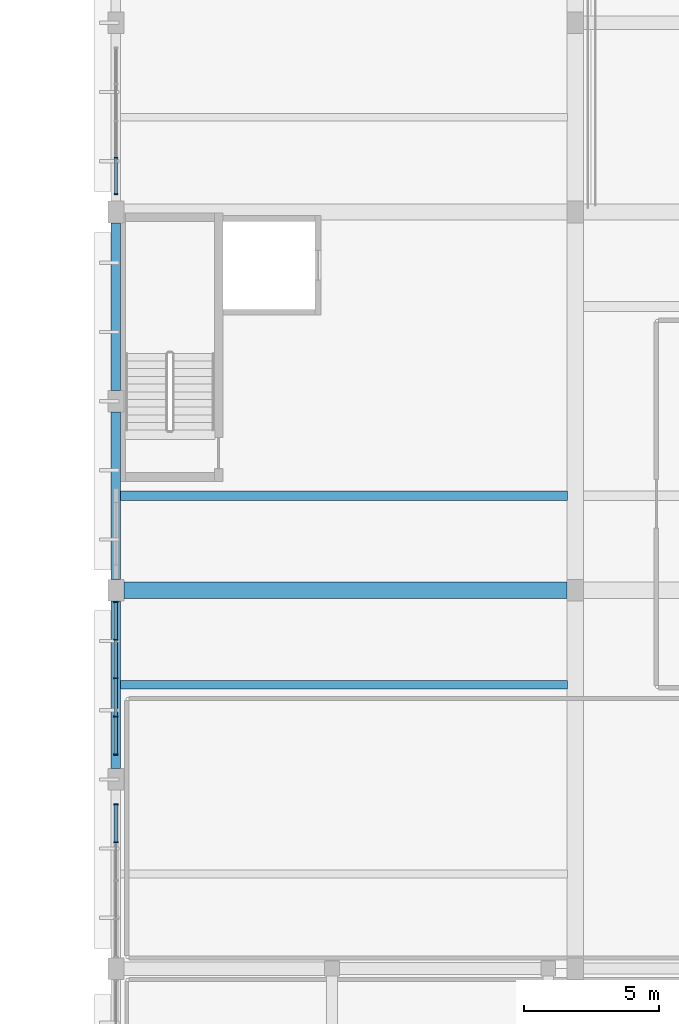
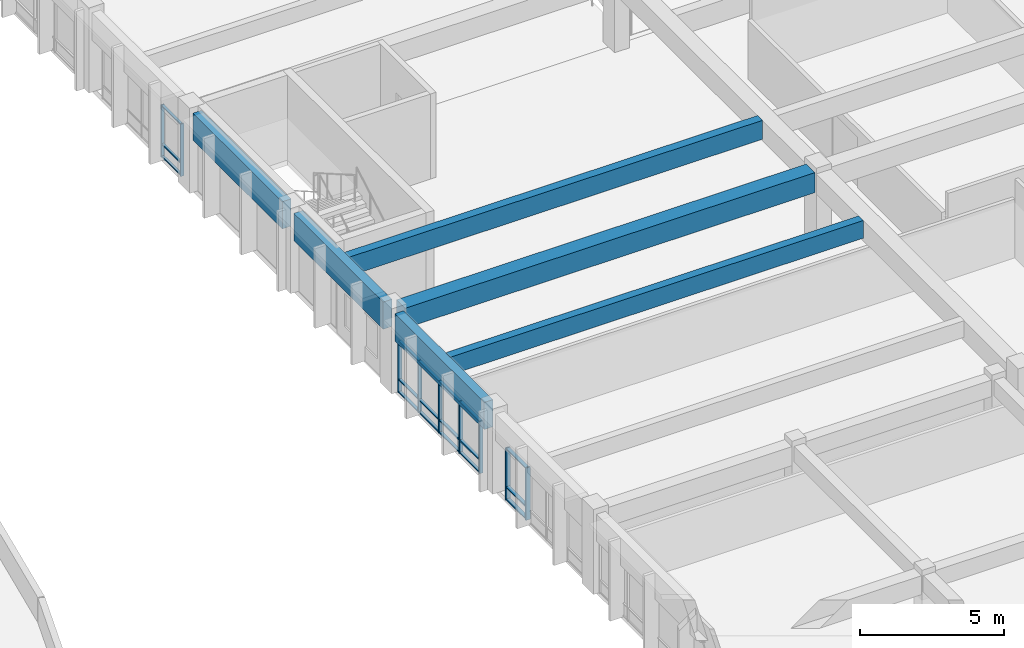
# One storey, part 15 of 77: 27 members, 6 beams, 3 elements without a shape of their own.
"""IFC4 building model written with IfcOpenShell, lengths in metres."""

from ifc_helpers import new_model, si_unit, direction, frame, origin, origin_2d, place, context, subcontext, project, spatial, rectangle, extrude, material, material_profile, profile_set, type_object, element, aggregate, save


model = new_model("IFC4")

# Units and contexts
model_context = context("Model", 3, precision=1e-05, world=origin(), true_north=direction((0.0, 1.0)))
body_context = subcontext(model_context, "Body", "Model", "MODEL_VIEW")
ifc_project = project(units=[si_unit("LENGTHUNIT", "METRE"), si_unit("AREAUNIT", "SQUARE_METRE"), si_unit("VOLUMEUNIT", "CUBIC_METRE"), si_unit("PLANEANGLEUNIT", "RADIAN"), si_unit("MASSUNIT", "GRAM", prefix="KILO")], contexts=[model_context])

# Site, building, storey
site_placement = place(None, origin())
site = spatial("IfcSite", under=ifc_project, at=site_placement, CompositionType="ELEMENT")
building_placement = place(site_placement, origin())
building = spatial("IfcBuilding", under=site, at=building_placement, Name="Larkveld Mobility Hub", CompositionType="ELEMENT")
storey_placement = place(building_placement, frame((0.0, 0.0, 12.0)))
storey = spatial("IfcBuildingStorey", under=building, at=storey_placement, Name="L03", CompositionType="ELEMENT", Elevation=12.0)

# Beams
ifc_material_1 = material(Name="Precast concrete C50/60", Category="concrete")
ifc_material_profile_1 = material_profile(ifc_material_1, rectangle(XDim=0.320068359375, YDim=0.75, at=origin_2d()), Name="PC DT 320x750")
ifc_profile_set_1 = profile_set([ifc_material_profile_1], Name="Precast concrete C50/60")
beam_type_1 = type_object("IfcBeamType", Name="BM-DT3275", PredefinedType="T_BEAM", material=ifc_profile_set_1)
beam_1_placement = place(storey_placement, frame((112.169921875, 38.5, 2.9951171875), z_axis=(1.0, 0.0, 0.0), x_axis=(0.0, 1.0, 0.0)))
element("IfcBeam", 1, at=beam_1_placement, inside=storey, type_object=beam_type_1, Name="Precast Double-Tee Stem L03-1110", PredefinedType="T_BEAM", context=body_context, shape_type="SweptSolid", body=[
    extrude(rectangle(XDim=0.320068359375, YDim=0.75, at=origin_2d()), origin(), (0.0, 0.0, 1.0), 16.53515625),
])
ifc_material_profile_2 = material_profile(ifc_material_1, rectangle(XDim=0.340087890625, YDim=0.800048828125, at=origin_2d()), Name="PC DT 340x800")
ifc_profile_set_2 = profile_set([ifc_material_profile_2], Name="Precast concrete C50/60")
beam_type_2 = type_object("IfcBeamType", Name="BM-DT3480", PredefinedType="T_BEAM", material=ifc_profile_set_2)
beam_2_placement = place(storey_placement, frame((112.169921875, 45.5, 2.969970703125), z_axis=(1.0, 0.0, 0.0), x_axis=(0.0, 1.0, 0.0)))
element("IfcBeam", 2, at=beam_2_placement, inside=storey, type_object=beam_type_2, Name="Precast Double-Tee Stem L03-1111", PredefinedType="T_BEAM", context=body_context, shape_type="SweptSolid", body=[
    extrude(rectangle(XDim=0.340087890625, YDim=0.800048828125, at=origin_2d()), origin(), (0.0, 0.0, 1.0), 16.53515625),
])
ifc_material_profile_3 = material_profile(ifc_material_1, rectangle(XDim=0.60009765625, YDim=0.85009765625, at=origin_2d()), Name="PC ITB 600x850")
ifc_profile_set_3 = profile_set([ifc_material_profile_3], Name="Precast concrete C50/60")
beam_type_3 = type_object("IfcBeamType", Name="BM-ITB6085", PredefinedType="T_BEAM", material=ifc_profile_set_3)
beam_3_placement = place(storey_placement, frame((112.300048828125, 42.0, 2.93505859375), z_axis=(1.0, 0.0, 0.0), x_axis=(0.0, 1.0, 0.0)))
element("IfcBeam", 3, at=beam_3_placement, inside=storey, type_object=beam_type_3, Name="Primary E-W Girder L03-0720", PredefinedType="T_BEAM", context=body_context, shape_type="SweptSolid", body=[
    extrude(rectangle(XDim=0.60009765625, YDim=0.85009765625, at=origin_2d()), origin(), (0.0, 0.0, 1.0), 16.39990234375),
])
ifc_material_profile_4 = material_profile(ifc_material_1, rectangle(XDim=0.35009765625, YDim=1.14990234375, at=origin_2d()), Name="PC SP 350x1150")
ifc_profile_set_4 = profile_set([ifc_material_profile_4], Name="Precast concrete C50/60")
beam_type_4 = type_object("IfcBeamType", Name="BM-SP35115", PredefinedType="SPANDREL", material=ifc_profile_set_4)
for number, where, z_axis, x_axis, name in (
    (4, (112.0, 35.39990234375, 2.784912109375), (0.0, 1.0, 0.0), (-1.0, 0.0, 0.0), "Primary N-S Girder L03-0799"),
    (5, (112.0, 42.39990234375, 2.784912109375), (0.0, 1.0, 0.0), (-1.0, 0.0, 0.0), "Primary N-S Girder L03-0800"),
    (6, (112.0, 49.39990234375, 2.784912109375), (0.0, 1.0, 0.0), (-1.0, 0.0, 0.0), "Primary N-S Girder L03-0801"),
):
    element("IfcBeam", number, at=place(storey_placement, frame(where, z_axis=z_axis, x_axis=x_axis)), inside=storey, type_object=beam_type_4, Name=name, PredefinedType="SPANDREL", context=body_context, shape_type="SweptSolid", body=[
        extrude(rectangle(XDim=0.35009765625, YDim=1.14990234375, at=origin_2d()), origin(), (0.0, 0.0, 1.0), 6.2001953125),
    ])

# Curtain wall, members
ifc_material_2 = material(Name="Anodised aluminium 6063-T6", Category="aluminium")
curtain_wall_type_1 = type_object("IfcCurtainWallType", Name="CW-SYS-09", PredefinedType="NOTDEFINED", material=ifc_material_2)
curtain_wall_1_placement = place(storey_placement, origin())
curtain_wall_1 = element("IfcCurtainWall", 7, at=curtain_wall_1_placement, inside=storey, type_object=curtain_wall_type_1, Name="EV Wing West Glazing L03 CW-141", PredefinedType="NOTDEFINED")
ifc_material_profile_5 = material_profile(ifc_material_2, rectangle(XDim=0.050048828125, YDim=0.14990234375, at=origin_2d()), Name="ALU MULL 50x150")
ifc_profile_set_5 = profile_set([ifc_material_profile_5], Name="Anodised aluminium 6063-T6")
member_type_1 = type_object("IfcMemberType", Name="CW-MUL-01", PredefinedType="MULLION", material=ifc_profile_set_5)
member_1_placement = place(storey_placement, frame((112.0, 41.56494140625, -0.001953125), z_axis=(0.0, 0.0, 1.0), x_axis=(0.0, -1.0, 0.0)))
member_1 = element("IfcMember", 8, at=member_1_placement, type_object=member_type_1, Name="CW09 mullion 1", PredefinedType="MULLION", context=body_context, shape_type="SweptSolid", body=[
    extrude(rectangle(XDim=0.050048828125, YDim=0.14990234375, at=origin_2d()), origin(), (0.0, 0.0, 1.0), 2.2119140625),
])
member_2_placement = place(storey_placement, frame((112.0, 40.16796875, -0.001953125), z_axis=(0.0, 0.0, 1.0), x_axis=(0.0, -1.0, 0.0)))
member_2 = element("IfcMember", 9, at=member_2_placement, type_object=member_type_1, Name="CW09 mullion 2", PredefinedType="MULLION", context=body_context, shape_type="SweptSolid", body=[
    extrude(rectangle(XDim=0.050048828125, YDim=0.14990234375, at=origin_2d()), origin(), (0.0, 0.0, 1.0), 2.2119140625),
])
member_3_placement = place(storey_placement, frame((112.0, 38.7451171875, -0.001953125), z_axis=(0.0, 0.0, 1.0), x_axis=(0.0, -1.0, 0.0)))
member_3 = element("IfcMember", 10, at=member_3_placement, type_object=member_type_1, Name="CW09 mullion 3", PredefinedType="MULLION", context=body_context, shape_type="SweptSolid", body=[
    extrude(rectangle(XDim=0.050048828125, YDim=0.14990234375, at=origin_2d()), origin(), (0.0, 0.0, 1.0), 2.2119140625),
])
member_4_placement = place(storey_placement, frame((112.0, 37.322998046875, -0.001953125), z_axis=(0.0, 0.0, 1.0), x_axis=(0.0, -1.0, 0.0)))
member_4 = element("IfcMember", 11, at=member_4_placement, type_object=member_type_1, Name="CW09 mullion 4", PredefinedType="MULLION", context=body_context, shape_type="SweptSolid", body=[
    extrude(rectangle(XDim=0.050048828125, YDim=0.14990234375, at=origin_2d()), origin(), (0.0, 0.0, 1.0), 2.2119140625),
])
member_5_placement = place(storey_placement, frame((112.0, 35.925048828125, -0.001953125), z_axis=(0.0, 0.0, 1.0), x_axis=(0.0, -1.0, 0.0)))
member_5 = element("IfcMember", 12, at=member_5_placement, type_object=member_type_1, Name="CW09 mullion 5", PredefinedType="MULLION", context=body_context, shape_type="SweptSolid", body=[
    extrude(rectangle(XDim=0.050048828125, YDim=0.14990234375, at=origin_2d()), origin(), (0.0, 0.0, 1.0), 2.2119140625),
])

curtain_wall_type_2 = type_object("IfcCurtainWallType", Name="CW-SYS-10", PredefinedType="NOTDEFINED", material=ifc_material_2)
curtain_wall_2_placement = place(storey_placement, origin())
curtain_wall_2 = element("IfcCurtainWall", 13, at=curtain_wall_2_placement, inside=storey, type_object=curtain_wall_type_2, Name="EV Wing West Glazing L03 CW-142", PredefinedType="NOTDEFINED")
ifc_material_profile_6 = material_profile(ifc_material_2, rectangle(XDim=0.050048828125, YDim=0.179931640625, at=origin_2d()), Name="ALU MULL 50x180")
ifc_profile_set_6 = profile_set([ifc_material_profile_6], Name="Anodised aluminium 6063-T6")
member_type_2 = type_object("IfcMemberType", Name="CW-MUL-02", PredefinedType="MULLION", material=ifc_profile_set_6)
member_6_placement = place(storey_placement, frame((112.0, 34.074951171875, -0.001953125), z_axis=(0.0, 0.0, 1.0), x_axis=(0.0, -1.0, 0.0)))
member_6 = element("IfcMember", 14, at=member_6_placement, type_object=member_type_2, Name="CW10 mullion 1", PredefinedType="MULLION", context=body_context, shape_type="SweptSolid", body=[
    extrude(rectangle(XDim=0.050048828125, YDim=0.179931640625, at=origin_2d()), origin(), (0.0, 0.0, 1.0), 2.2119140625),
])
member_7_placement = place(storey_placement, frame((112.0, 32.677978515625, -0.001953125), z_axis=(0.0, 0.0, 1.0), x_axis=(0.0, -1.0, 0.0)))
member_7 = element("IfcMember", 15, at=member_7_placement, type_object=member_type_2, Name="CW10 mullion 2", PredefinedType="MULLION", context=body_context, shape_type="SweptSolid", body=[
    extrude(rectangle(XDim=0.050048828125, YDim=0.179931640625, at=origin_2d()), origin(), (0.0, 0.0, 1.0), 2.2119140625),
])

curtain_wall_type_3 = type_object("IfcCurtainWallType", Name="CW-SYS-12", PredefinedType="NOTDEFINED", material=ifc_material_2)
curtain_wall_3_placement = place(storey_placement, origin())
curtain_wall_3 = element("IfcCurtainWall", 16, at=curtain_wall_3_placement, inside=storey, type_object=curtain_wall_type_3, Name="EV Wing West Glazing L03 CW-144", PredefinedType="NOTDEFINED")
ifc_material_profile_7 = material_profile(ifc_material_2, rectangle(XDim=0.050048828125, YDim=0.1298828125, at=origin_2d()), Name="ALU MULL 50x130")
ifc_profile_set_7 = profile_set([ifc_material_profile_7], Name="Anodised aluminium 6063-T6")
member_type_3 = type_object("IfcMemberType", Name="CW-MUL-04", PredefinedType="MULLION", material=ifc_profile_set_7)
member_8_placement = place(storey_placement, frame((112.0, 58.0048828125, -0.001953125), z_axis=(0.0, 0.0, 1.0), x_axis=(0.0, -1.0, 0.0)))
member_8 = element("IfcMember", 17, at=member_8_placement, type_object=member_type_3, Name="CW12 mullion 4", PredefinedType="MULLION", context=body_context, shape_type="SweptSolid", body=[
    extrude(rectangle(XDim=0.050048828125, YDim=0.1298828125, at=origin_2d()), origin(), (0.0, 0.0, 1.0), 2.2119140625),
])
member_9_placement = place(storey_placement, frame((112.0, 56.6650390625, -0.001953125), z_axis=(0.0, 0.0, 1.0), x_axis=(0.0, -1.0, 0.0)))
member_9 = element("IfcMember", 18, at=member_9_placement, type_object=member_type_3, Name="CW12 mullion 5", PredefinedType="MULLION", context=body_context, shape_type="SweptSolid", body=[
    extrude(rectangle(XDim=0.050048828125, YDim=0.1298828125, at=origin_2d()), origin(), (0.0, 0.0, 1.0), 2.2119140625),
])

# Member
ifc_material_profile_8 = material_profile(ifc_material_2, rectangle(XDim=0.1201171875, YDim=0.050048828125, at=origin_2d()), Name="ALU TRAN 50x120")
ifc_profile_set_8 = profile_set([ifc_material_profile_8], Name="Anodised aluminium 6063-T6")
member_type_4 = type_object("IfcMemberType", Name="CW-TRN-01", PredefinedType="USERDEFINED", material=ifc_profile_set_8)
member_10_placement = place(storey_placement, frame((112.0, 41.554931640625, 0.030029296875), z_axis=(0.0, -1.0, 0.0), x_axis=(1.0, 0.0, 0.0)))
member_10 = element("IfcMember", 19, at=member_10_placement, type_object=member_type_4, Name="CW09 transom 1.1", ObjectType="TRANSOM", PredefinedType="USERDEFINED", context=body_context, shape_type="SweptSolid", body=[
    extrude(rectangle(XDim=0.1201171875, YDim=0.050048828125, at=origin_2d()), origin(), (0.0, 0.0, 1.0), 1.371826171875),
])

member_11_placement = place(storey_placement, frame((112.0, 41.554931640625, 0.552001953125), z_axis=(0.0, -1.0, 0.0), x_axis=(1.0, 0.0, 0.0)))
member_11 = element("IfcMember", 20, at=member_11_placement, type_object=member_type_4, Name="CW09 transom 1.2", ObjectType="TRANSOM", PredefinedType="USERDEFINED", context=body_context, shape_type="SweptSolid", body=[
    extrude(rectangle(XDim=0.1201171875, YDim=0.050048828125, at=origin_2d()), origin(), (0.0, 0.0, 1.0), 1.371826171875),
])

member_12_placement = place(storey_placement, frame((112.0, 41.554931640625, 2.177978515625), z_axis=(0.0, -1.0, 0.0), x_axis=(1.0, 0.0, 0.0)))
member_12 = element("IfcMember", 21, at=member_12_placement, type_object=member_type_4, Name="CW09 transom 1.3", ObjectType="TRANSOM", PredefinedType="USERDEFINED", context=body_context, shape_type="SweptSolid", body=[
    extrude(rectangle(XDim=0.1201171875, YDim=0.050048828125, at=origin_2d()), origin(), (0.0, 0.0, 1.0), 1.371826171875),
])

member_13_placement = place(storey_placement, frame((112.0, 40.153076171875, 0.030029296875), z_axis=(0.0, -1.0, 0.0), x_axis=(1.0, 0.0, 0.0)))
member_13 = element("IfcMember", 22, at=member_13_placement, type_object=member_type_4, Name="CW09 transom 2.1", ObjectType="TRANSOM", PredefinedType="USERDEFINED", context=body_context, shape_type="SweptSolid", body=[
    extrude(rectangle(XDim=0.1201171875, YDim=0.050048828125, at=origin_2d()), origin(), (0.0, 0.0, 1.0), 1.39306640625),
])

member_14_placement = place(storey_placement, frame((112.0, 40.153076171875, 0.552001953125), z_axis=(0.0, -1.0, 0.0), x_axis=(1.0, 0.0, 0.0)))
member_14 = element("IfcMember", 23, at=member_14_placement, type_object=member_type_4, Name="CW09 transom 2.2", ObjectType="TRANSOM", PredefinedType="USERDEFINED", context=body_context, shape_type="SweptSolid", body=[
    extrude(rectangle(XDim=0.1201171875, YDim=0.050048828125, at=origin_2d()), origin(), (0.0, 0.0, 1.0), 1.39306640625),
])

member_15_placement = place(storey_placement, frame((112.0, 40.153076171875, 2.177978515625), z_axis=(0.0, -1.0, 0.0), x_axis=(1.0, 0.0, 0.0)))
member_15 = element("IfcMember", 24, at=member_15_placement, type_object=member_type_4, Name="CW09 transom 2.3", ObjectType="TRANSOM", PredefinedType="USERDEFINED", context=body_context, shape_type="SweptSolid", body=[
    extrude(rectangle(XDim=0.1201171875, YDim=0.050048828125, at=origin_2d()), origin(), (0.0, 0.0, 1.0), 1.39306640625),
])

member_16_placement = place(storey_placement, frame((112.0, 38.72998046875, 0.030029296875), z_axis=(0.0, -1.0, 0.0), x_axis=(1.0, 0.0, 0.0)))
member_16 = element("IfcMember", 25, at=member_16_placement, type_object=member_type_4, Name="CW09 transom 3.1", ObjectType="TRANSOM", PredefinedType="USERDEFINED", context=body_context, shape_type="SweptSolid", body=[
    extrude(rectangle(XDim=0.1201171875, YDim=0.050048828125, at=origin_2d()), origin(), (0.0, 0.0, 1.0), 1.39208984375),
])

member_17_placement = place(storey_placement, frame((112.0, 38.72998046875, 0.552001953125), z_axis=(0.0, -1.0, 0.0), x_axis=(1.0, 0.0, 0.0)))
member_17 = element("IfcMember", 26, at=member_17_placement, type_object=member_type_4, Name="CW09 transom 3.2", ObjectType="TRANSOM", PredefinedType="USERDEFINED", context=body_context, shape_type="SweptSolid", body=[
    extrude(rectangle(XDim=0.1201171875, YDim=0.050048828125, at=origin_2d()), origin(), (0.0, 0.0, 1.0), 1.39208984375),
])

member_18_placement = place(storey_placement, frame((112.0, 38.72998046875, 2.177978515625), z_axis=(0.0, -1.0, 0.0), x_axis=(1.0, 0.0, 0.0)))
member_18 = element("IfcMember", 27, at=member_18_placement, type_object=member_type_4, Name="CW09 transom 3.3", ObjectType="TRANSOM", PredefinedType="USERDEFINED", context=body_context, shape_type="SweptSolid", body=[
    extrude(rectangle(XDim=0.1201171875, YDim=0.050048828125, at=origin_2d()), origin(), (0.0, 0.0, 1.0), 1.39208984375),
])

member_19_placement = place(storey_placement, frame((112.0, 37.30810546875, 0.030029296875), z_axis=(0.0, -1.0, 0.0), x_axis=(1.0, 0.0, 0.0)))
member_19 = element("IfcMember", 28, at=member_19_placement, type_object=member_type_4, Name="CW09 transom 4.1", ObjectType="TRANSOM", PredefinedType="USERDEFINED", context=body_context, shape_type="SweptSolid", body=[
    extrude(rectangle(XDim=0.1201171875, YDim=0.050048828125, at=origin_2d()), origin(), (0.0, 0.0, 1.0), 1.373046875),
])

member_20_placement = place(storey_placement, frame((112.0, 37.30810546875, 0.552001953125), z_axis=(0.0, -1.0, 0.0), x_axis=(1.0, 0.0, 0.0)))
member_20 = element("IfcMember", 29, at=member_20_placement, type_object=member_type_4, Name="CW09 transom 4.2", ObjectType="TRANSOM", PredefinedType="USERDEFINED", context=body_context, shape_type="SweptSolid", body=[
    extrude(rectangle(XDim=0.1201171875, YDim=0.050048828125, at=origin_2d()), origin(), (0.0, 0.0, 1.0), 1.373046875),
])

member_21_placement = place(storey_placement, frame((112.0, 37.30810546875, 2.177978515625), z_axis=(0.0, -1.0, 0.0), x_axis=(1.0, 0.0, 0.0)))
member_21 = element("IfcMember", 30, at=member_21_placement, type_object=member_type_4, Name="CW09 transom 4.3", ObjectType="TRANSOM", PredefinedType="USERDEFINED", context=body_context, shape_type="SweptSolid", body=[
    extrude(rectangle(XDim=0.1201171875, YDim=0.050048828125, at=origin_2d()), origin(), (0.0, 0.0, 1.0), 1.373046875),
])

aggregate(curtain_wall_1, [member_1, member_2, member_3, member_4, member_5, member_10, member_11, member_12, member_13, member_14, member_15, member_16, member_17, member_18, member_19, member_20, member_21])

ifc_material_profile_9 = material_profile(ifc_material_2, rectangle(XDim=0.14990234375, YDim=0.050048828125, at=origin_2d()), Name="ALU TRAN 50x150")
ifc_profile_set_9 = profile_set([ifc_material_profile_9], Name="Anodised aluminium 6063-T6")
member_type_5 = type_object("IfcMemberType", Name="CW-TRN-02", PredefinedType="USERDEFINED", material=ifc_profile_set_9)
member_22_placement = place(storey_placement, frame((112.0, 34.06494140625, 0.030029296875), z_axis=(0.0, -1.0, 0.0), x_axis=(1.0, 0.0, 0.0)))
member_22 = element("IfcMember", 31, at=member_22_placement, type_object=member_type_5, Name="CW10 transom 1.1", ObjectType="TRANSOM", PredefinedType="USERDEFINED", context=body_context, shape_type="SweptSolid", body=[
    extrude(rectangle(XDim=0.14990234375, YDim=0.050048828125, at=origin_2d()), origin(), (0.0, 0.0, 1.0), 1.371826171875),
])

member_23_placement = place(storey_placement, frame((112.0, 34.06494140625, 0.552001953125), z_axis=(0.0, -1.0, 0.0), x_axis=(1.0, 0.0, 0.0)))
member_23 = element("IfcMember", 32, at=member_23_placement, type_object=member_type_5, Name="CW10 transom 1.2", ObjectType="TRANSOM", PredefinedType="USERDEFINED", context=body_context, shape_type="SweptSolid", body=[
    extrude(rectangle(XDim=0.14990234375, YDim=0.050048828125, at=origin_2d()), origin(), (0.0, 0.0, 1.0), 1.371826171875),
])

member_24_placement = place(storey_placement, frame((112.0, 34.06494140625, 2.177978515625), z_axis=(0.0, -1.0, 0.0), x_axis=(1.0, 0.0, 0.0)))
member_24 = element("IfcMember", 33, at=member_24_placement, type_object=member_type_5, Name="CW10 transom 1.3", ObjectType="TRANSOM", PredefinedType="USERDEFINED", context=body_context, shape_type="SweptSolid", body=[
    extrude(rectangle(XDim=0.14990234375, YDim=0.050048828125, at=origin_2d()), origin(), (0.0, 0.0, 1.0), 1.371826171875),
])

aggregate(curtain_wall_2, [member_6, member_7, member_22, member_23, member_24])

ifc_material_profile_10 = material_profile(ifc_material_2, rectangle(XDim=0.10009765625, YDim=0.050048828125, at=origin_2d()), Name="ALU TRAN 50x100")
ifc_profile_set_10 = profile_set([ifc_material_profile_10], Name="Anodised aluminium 6063-T6")
member_type_6 = type_object("IfcMemberType", Name="CW-TRN-04", PredefinedType="USERDEFINED", material=ifc_profile_set_10)
member_25_placement = place(storey_placement, frame((112.0, 57.989990234375, 0.030029296875), z_axis=(0.0, -1.0, 0.0), x_axis=(1.0, 0.0, 0.0)))
member_25 = element("IfcMember", 34, at=member_25_placement, type_object=member_type_6, Name="CW12 transom 4.1", ObjectType="TRANSOM", PredefinedType="USERDEFINED", context=body_context, shape_type="SweptSolid", body=[
    extrude(rectangle(XDim=0.10009765625, YDim=0.050048828125, at=origin_2d()), origin(), (0.0, 0.0, 1.0), 1.31494140625),
])

member_26_placement = place(storey_placement, frame((112.0, 57.989990234375, 0.552001953125), z_axis=(0.0, -1.0, 0.0), x_axis=(1.0, 0.0, 0.0)))
member_26 = element("IfcMember", 35, at=member_26_placement, type_object=member_type_6, Name="CW12 transom 4.2", ObjectType="TRANSOM", PredefinedType="USERDEFINED", context=body_context, shape_type="SweptSolid", body=[
    extrude(rectangle(XDim=0.10009765625, YDim=0.050048828125, at=origin_2d()), origin(), (0.0, 0.0, 1.0), 1.31494140625),
])

member_27_placement = place(storey_placement, frame((112.0, 57.989990234375, 2.177978515625), z_axis=(0.0, -1.0, 0.0), x_axis=(1.0, 0.0, 0.0)))
member_27 = element("IfcMember", 36, at=member_27_placement, type_object=member_type_6, Name="CW12 transom 4.3", ObjectType="TRANSOM", PredefinedType="USERDEFINED", context=body_context, shape_type="SweptSolid", body=[
    extrude(rectangle(XDim=0.10009765625, YDim=0.050048828125, at=origin_2d()), origin(), (0.0, 0.0, 1.0), 1.31494140625),
])

aggregate(curtain_wall_3, [member_8, member_9, member_25, member_26, member_27])

save(model, "model.ifc")
